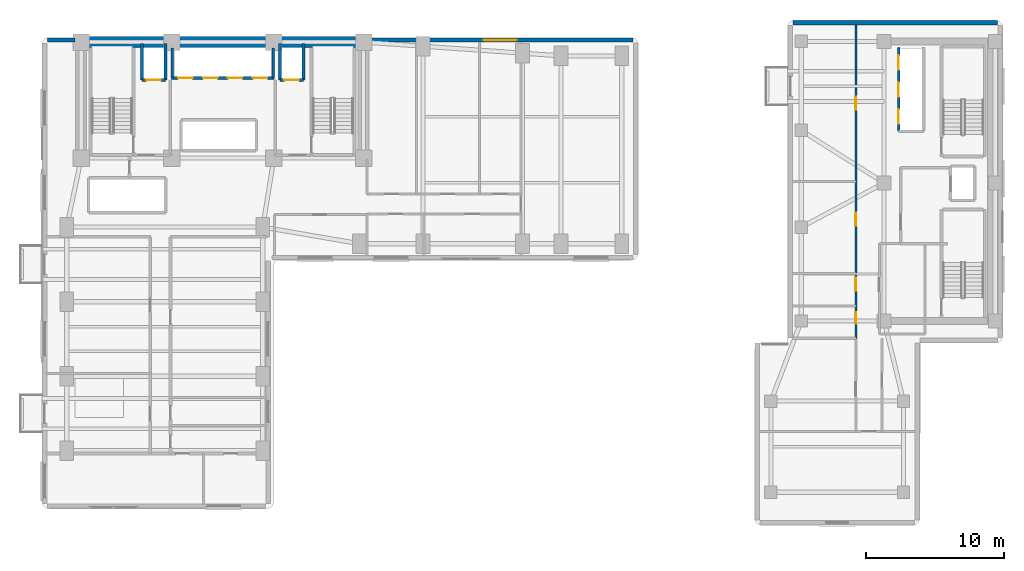
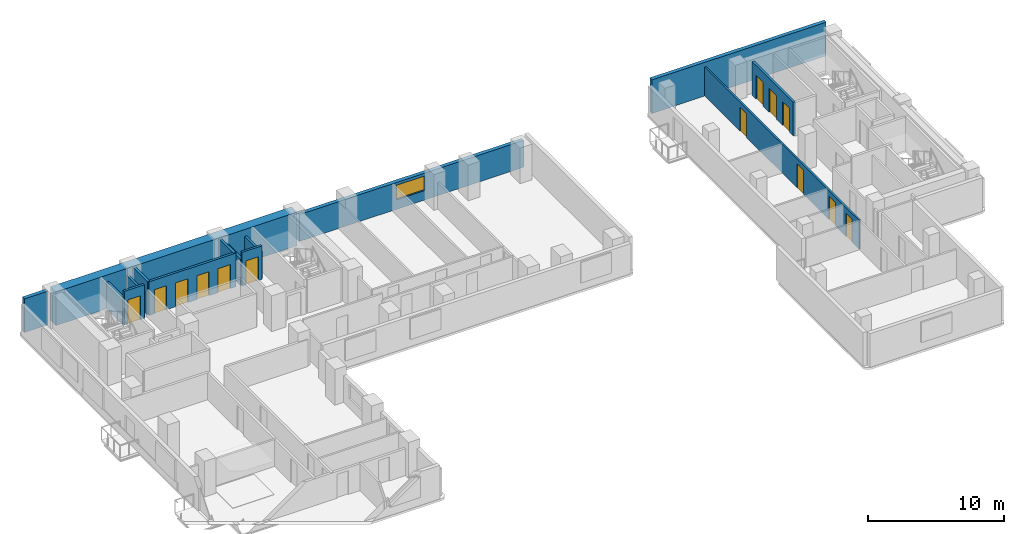
# One storey, part 11 of 16: 15 walls, 13 doors, 1 window, 14 openings.
"""IFC4 building model written with IfcOpenShell, lengths in metres."""

import ifcopenshell
import ifcopenshell.guid

model = None  # the IFC model being written
_history = None  # IfcOwnerHistory: only IFC2X3 demands one
_inside = {}  # id of a spatial element -> (the spatial element, [elements in it])
_under = {}  # id of a project, library or spatial element -> (it, [spatial elements below it])
_declared = {}  # id of a project -> (the project, [libraries it declares])
_typed = {}  # id of a type object -> (the type object, [elements of that type])
_made_of = {}  # id of a material, layer set ... -> (it, [elements and type objects made of it])


def new_model(schema):
    """Start an empty IFC model of exactly this schema.

    Asked for "IFC4X3", IfcOpenShell would pick the latest addendum, in which some entities
    have other attributes; the version numbers below select the first issue.
    IFC2X3 requires an IfcOwnerHistory on every rooted entity: one is made here for all.
    """
    global model, _history
    if schema == "IFC4X3":
        model = ifcopenshell.file(schema_version=(4, 3, 0, 0))
    else:
        model = ifcopenshell.file(schema=schema)
    _inside.clear()
    _under.clear()
    _declared.clear()
    _typed.clear()
    _made_of.clear()
    _history = None
    if model.schema == "IFC2X3":
        org = make("IfcOrganization", Name="unknown")
        user = make(
            "IfcPersonAndOrganization",
            ThePerson=make("IfcPerson", FamilyName="unknown"),
            TheOrganization=org,
        )
        app = make(
            "IfcApplication",
            ApplicationDeveloper=org,
            Version="unknown",
            ApplicationFullName="unknown",
            ApplicationIdentifier="unknown",
        )
        _history = make(
            "IfcOwnerHistory",
            OwningUser=user,
            OwningApplication=app,
            ChangeAction="ADDED",
            CreationDate=0,
        )
    return model


def make(cls, **values):
    """One entity of the class cls with the attributes given. An attribute that is None is left unset."""
    return model.create_entity(
        cls, **{name: value for name, value in values.items() if value is not None}
    )


def rooted(cls, **values):
    """An entity with a GlobalId (a new one), such as an element, a storey or a relation."""
    return make(cls, GlobalId=ifcopenshell.guid.new(), OwnerHistory=_history, **values)


def si_unit(unit_type, name, prefix=None):
    """IfcSIUnit, for example si_unit("LENGTHUNIT", "METRE", prefix="MILLI")."""
    return make("IfcSIUnit", UnitType=unit_type, Prefix=prefix, Name=name)


def assignment(units):
    """IfcUnitAssignment: the units of a project."""
    return None if units is None else make("IfcUnitAssignment", Units=units)


def point(xyz):
    """IfcCartesianPoint."""
    return None if xyz is None else make("IfcCartesianPoint", Coordinates=xyz)


def direction(xyz):
    """IfcDirection."""
    return None if xyz is None else make("IfcDirection", DirectionRatios=xyz)


def frame(location, z_axis=None, x_axis=None):
    """IfcAxis2Placement3D, a coordinate frame: its origin and axes. An axis left out is left unset."""
    return make(
        "IfcAxis2Placement3D",
        Location=point(location),
        Axis=direction(z_axis),
        RefDirection=direction(x_axis),
    )


def frame_2d(location, x_axis=None):
    """IfcAxis2Placement2D, a coordinate frame in the plane: its origin and x axis."""
    return make(
        "IfcAxis2Placement2D", Location=point(location), RefDirection=direction(x_axis)
    )


def origin():
    """The frame at (0, 0, 0) with its axes left unset."""
    return frame((0.0, 0.0, 0.0))


def place(relative_to, where):
    """IfcLocalPlacement: puts the frame where relative to a parent placement (None: the world)."""
    return make(
        "IfcLocalPlacement", PlacementRelTo=relative_to, RelativePlacement=where
    )


def context(
    kind, dimensions, precision=None, world=None, true_north=None, identifier=None
):
    """IfcGeometricRepresentationContext, for example the 3D "Model" context."""
    return make(
        "IfcGeometricRepresentationContext",
        ContextIdentifier=identifier,
        ContextType=kind,
        CoordinateSpaceDimension=dimensions,
        Precision=precision,
        WorldCoordinateSystem=world,
        TrueNorth=true_north,
    )


def subcontext(parent, identifier, kind, view, scale=None):
    """IfcGeometricRepresentationSubContext, for example "Body" below "Model"."""
    return make(
        "IfcGeometricRepresentationSubContext",
        ContextIdentifier=identifier,
        ContextType=kind,
        ParentContext=parent,
        TargetScale=scale,
        TargetView=view,
    )


def project(units=None, contexts=None):
    """IfcProject with its units and contexts."""
    return rooted(
        "IfcProject",
        Name="project",
        RepresentationContexts=contexts,
        UnitsInContext=assignment(units),
    )


def spatial(cls, under=None, at=None, **own):
    """A site, building, storey or space (cls), placed at a placement, below another one or the project."""
    s = rooted(cls, ObjectPlacement=at, **own)
    if under is not None:
        _under.setdefault(under.id(), (under, []))[1].append(s)
    return s


def profile(cls, at=None, kind="AREA", **sizes):
    """A parametric profile (cls). Its sizes go by their IFC names, for example OverallWidth=200.0."""
    return make(cls, ProfileType=kind, Position=at, **sizes)


def rectangle(**sizes):
    """IfcRectangleProfileDef."""
    return profile("IfcRectangleProfileDef", **sizes)


def extrude(swept, where, along, depth):
    """IfcExtrudedAreaSolid: the profile swept, set in the frame where, extruded along a direction by depth."""
    return make(
        "IfcExtrudedAreaSolid",
        SweptArea=swept,
        Position=where,
        ExtrudedDirection=direction(along),
        Depth=depth,
    )


def shape(context_of_items, identifier, shape_type, items):
    """IfcShapeRepresentation: the items that make up one representation, for example the "Body"."""
    return make(
        "IfcShapeRepresentation",
        ContextOfItems=context_of_items,
        RepresentationIdentifier=identifier,
        RepresentationType=shape_type,
        Items=items,
    )


def material(Name=None, Category=None):
    """IfcMaterial."""
    return make("IfcMaterial", Name=Name, Category=Category)


def layer(
    of_material, thickness, ventilated=None, Name=None, Category=None, Priority=None
):
    """IfcMaterialLayer: one layer of a wall or slab, of a material (None: an air gap)."""
    return make(
        "IfcMaterialLayer",
        Material=of_material,
        LayerThickness=thickness,
        IsVentilated=ventilated,
        Name=Name,
        Category=Category,
        Priority=Priority,
    )


def layer_set(layers, Name=None):
    """IfcMaterialLayerSet."""
    return make("IfcMaterialLayerSet", MaterialLayers=layers, LayerSetName=Name)


def made_of(thing, what):
    """Note that an element or type object is made of a material, layer set ...; save() writes the relation."""
    if what is not None:
        _made_of.setdefault(what.id(), (what, []))[1].append(thing)
    return thing


def type_object(cls, material=None, **own):
    """A type object (cls), such as IfcWallType, which elements share."""
    return made_of(rooted(cls, **own), material)


def element(
    cls,
    number,
    at=None,
    inside=None,
    cuts=None,
    type_object=None,
    material=None,
    context=None,
    identifier="Body",
    shape_type=None,
    held_by="IfcProductDefinitionShape",
    body=None,
    shapes=None,
    **own,
):
    """One element of the class cls, such as IfcWall. Its Tag is "e" and its number.

    at: its placement. inside: the storey or other place that contains it. cuts: it is an
    opening in that element (IfcRelVoidsElement). A single representation is given by context,
    identifier, shape_type and body (its items); several are given by shapes. held_by: the class
    of the entity that holds the representations. save() writes the other relations.
    """
    e = rooted(cls, Tag="e%d" % number, ObjectPlacement=at, **own)
    if body is not None:
        shapes = [shape(context, identifier, shape_type, body)]
    if shapes is not None:
        e.Representation = make(held_by, Representations=shapes)
    if inside is not None:
        _inside.setdefault(inside.id(), (inside, []))[1].append(e)
    if cuts is not None:
        rooted(
            "IfcRelVoidsElement", RelatingBuildingElement=cuts, RelatedOpeningElement=e
        )
    if type_object is not None:
        _typed.setdefault(type_object.id(), (type_object, []))[1].append(e)
    return made_of(e, material)


def fill(opening, filler):
    """IfcRelFillsElement: the door or window that sits in an opening."""
    return rooted(
        "IfcRelFillsElement",
        RelatingOpeningElement=opening,
        RelatedBuildingElement=filler,
    )


def aggregate(whole, parts):
    """IfcRelAggregates: a whole, such as a stair, and the parts it consists of."""
    return rooted("IfcRelAggregates", RelatingObject=whole, RelatedObjects=parts)


def save(model, path):
    """Write the relations noted so far, then the file.

    IfcRelAggregates (storeys below a building ...), IfcRelContainedInSpatialStructure (elements
    in a storey), IfcRelDefinesByType, IfcRelAssociatesMaterial and IfcRelDeclares: one each for
    every whole, place, type object, material and project.
    """
    for whole, parts in _under.values():
        aggregate(whole, parts)
    for where, things in _inside.values():
        rooted(
            "IfcRelContainedInSpatialStructure",
            RelatedElements=things,
            RelatingStructure=where,
        )
    for kind, things in _typed.values():
        rooted("IfcRelDefinesByType", RelatedObjects=things, RelatingType=kind)
    for what, things in _made_of.values():
        rooted("IfcRelAssociatesMaterial", RelatedObjects=things, RelatingMaterial=what)
    for by, libraries in _declared.values():
        rooted("IfcRelDeclares", RelatingContext=by, RelatedDefinitions=libraries)
    model.write(path)


model = new_model("IFC4")

# Units and contexts
model_context = context("Model", 3, precision=1e-05, world=origin(), true_north=direction((0.0, 1.0)))
body_context = subcontext(model_context, "Body", "Model", "MODEL_VIEW")
ifc_project = project(units=[si_unit("LENGTHUNIT", "METRE"), si_unit("AREAUNIT", "SQUARE_METRE"), si_unit("VOLUMEUNIT", "CUBIC_METRE"), si_unit("PLANEANGLEUNIT", "RADIAN"), si_unit("MASSUNIT", "GRAM", prefix="KILO")], contexts=[model_context])

# Site, building, storey
site_placement = place(None, origin())
site = spatial("IfcSite", under=ifc_project, at=site_placement, CompositionType="ELEMENT")
building_placement = place(site_placement, origin())
building = spatial("IfcBuilding", under=site, at=building_placement, Name="Kuzgunbayir Cultural Tower", CompositionType="ELEMENT")
storey_placement = place(building_placement, frame((0.0, 0.0, 66.0)))
storey = spatial("IfcBuildingStorey", under=building, at=storey_placement, Name="L18", CompositionType="ELEMENT", Elevation=66.0)

# Wall
ifc_material_1 = material(Name="Concrete C60/75", Category="concrete")
ifc_layer_1 = layer(ifc_material_1, 0.800048828125)
ifc_layer_set_1 = layer_set([ifc_layer_1], Name="Concrete C60/75")
wall_type_1 = type_object("IfcWallType", Name="WAL-CORE-800", PredefinedType="SHEAR", material=ifc_layer_set_1)
wall_1_placement = place(storey_placement, frame((6.449951171875, 42.199951171875, 0.0), z_axis=(0.0, 0.0, 1.0), x_axis=(1.0, 0.0, 0.0)))
element("IfcWall", 1, at=wall_1_placement, inside=storey, type_object=wall_type_1, Name="L18 T1 Core North Shear Wall", PredefinedType="SHEAR", context=body_context, shape_type="SweptSolid", body=[
    extrude(rectangle(XDim=20.449951171875, YDim=0.800048828125, at=frame_2d((10.22509765625, 0.0))), origin(), (0.0, 0.0, 1.0), 3.02001953125),
])

# Wall, opening, window
ifc_material_2 = material(Name="Travertine Buff Ashlar", Category="masonry")
ifc_layer_2 = layer(ifc_material_2, 0.320068359375)
ifc_layer_set_2 = layer_set([ifc_layer_2], Name="Travertine Buff Ashlar")
wall_type_2 = type_object("IfcWallType", Name="WAL-EXT-STONE-320", PredefinedType="STANDARD", material=ifc_layer_set_2)
wall_2_placement = place(storey_placement, frame((46.39990234375, 42.35009765625, 0.0), z_axis=(0.0, 0.0, 1.0), x_axis=(-1.0, 0.0, 0.0)))
wall_2 = element("IfcWall", 2, at=wall_2_placement, inside=storey, type_object=wall_type_2, Name="L18 North Wing B Limestone Wall", PredefinedType="STANDARD", context=body_context, shape_type="SweptSolid", body=[
    extrude(rectangle(XDim=19.0498046875, YDim=0.320068359375, at=frame_2d((9.52490234375, 0.0))), origin(), (0.0, 0.0, 1.0), 2.409912109375),
])
opening_1_placement = place(wall_2_placement, frame((8.409912109375, 0.0, 0.85009765625)))
opening_1 = element("IfcOpeningElement", 3, at=opening_1_placement, cuts=wall_2, Name="Opening WO-24", PredefinedType="OPENING", context=body_context, shape_type="SweptSolid", body=[
    extrude(rectangle(XDim=2.39990234375, YDim=1.31005859375, at=frame_2d((1.199951171875, 0.655029296875))), frame((0.0, 0.169921875, 0.0), z_axis=(0.0, -1.0, 0.0), x_axis=(1.0, 0.0, 0.0)), (0.0, 0.0, 1.0), 0.340087890625),
])
ifc_material_3 = material(Name="Solar-Control Triple Glazing", Category="glass")
window_type = type_object("IfcWindowType", Name="WIN-OFFICE-24", PartitioningType="SINGLE_PANEL", PredefinedType="WINDOW", material=ifc_material_3)
window_placement = place(opening_1_placement, origin())
window = element("IfcWindow", 4, at=window_placement, inside=storey, type_object=window_type, Name="L18 CRN Facade Window 1", OverallHeight=1.31005859375, OverallWidth=2.39990234375, PartitioningType="SINGLE_PANEL", PredefinedType="WINDOW", context=body_context, shape_type="SweptSolid", body=[
    extrude(rectangle(XDim=2.39990234375, YDim=1.31005859375, at=frame_2d((1.199951171875, 0.655029296875))), frame((0.0, 0.030029296875, 0.0), z_axis=(0.0, -1.0, 0.0), x_axis=(1.0, 0.0, 0.0)), (0.0, 0.0, 1.0), 0.06005859375),
])
fill(opening_1, window)

# Walls
wall_3_placement = place(storey_placement, frame((6.0, 42.35009765625, 0.0), z_axis=(0.0, 0.0, 1.0), x_axis=(-1.0, 0.0, 0.0)))
element("IfcWall", 5, at=wall_3_placement, inside=storey, type_object=wall_type_2, Name="L18 Core North-West Spandrel Link", PredefinedType="STANDARD", context=body_context, shape_type="SweptSolid", body=[
    extrude(rectangle(XDim=2.0, YDim=0.320068359375, at=frame_2d((1.0, 0.0))), origin(), (0.0, 0.0, 1.0), 3.02001953125),
])
wall_4_placement = place(storey_placement, frame((72.800048828125, 43.60009765625, 0.0), z_axis=(0.0, 0.0, 1.0), x_axis=(-1.0, 0.0, 0.0)))
element("IfcWall", 6, at=wall_4_placement, inside=storey, type_object=wall_type_2, Name="L18 Companion North Limestone Wall", PredefinedType="STANDARD", context=body_context, shape_type="SweptSolid", body=[
    extrude(rectangle(XDim=14.800048828125, YDim=0.320068359375, at=frame_2d((7.39990234375, 0.0))), origin(), (0.0, 0.0, 1.0), 3.02001953125),
])

# Wall, openings, doors
ifc_material_4 = material(Name="Acoustic Double-Stud Drywall", Category="gypsum")
ifc_layer_3 = layer(ifc_material_4, 0.14990234375)
ifc_layer_set_3 = layer_set([ifc_layer_3], Name="Acoustic Double-Stud Drywall")
wall_type_3 = type_object("IfcWallType", Name="WAL-PART-ACOUSTIC-150", PredefinedType="PARTITIONING", material=ifc_layer_set_3)
wall_5_placement = place(storey_placement, frame((62.550048828125, 20.75, 0.0), z_axis=(0.0, 0.0, 1.0), x_axis=(0.0, 1.0, 0.0)))
wall_5 = element("IfcWall", 7, at=wall_5_placement, inside=storey, type_object=wall_type_3, Name="L18 Companion Corridor West Wall", PredefinedType="PARTITIONING", context=body_context, shape_type="SweptSolid", body=[
    extrude(rectangle(XDim=22.699951171875, YDim=0.14990234375, at=frame_2d((11.35009765625, 0.0))), origin(), (0.0, 0.0, 1.0), 2.60009765625),
])
opening_2_placement = place(wall_5_placement, frame((1.050048828125, 0.0, 0.0)))
opening_2 = element("IfcOpeningElement", 8, at=opening_2_placement, cuts=wall_5, Name="Opening DW-85", PredefinedType="OPENING", context=body_context, shape_type="SweptSolid", body=[
    extrude(rectangle(XDim=0.85009765625, YDim=2.10009765625, at=frame_2d((0.425048828125, 1.050048828125))), frame((0.0, 0.0849609375, 0.0), z_axis=(0.0, -1.0, 0.0), x_axis=(1.0, 0.0, 0.0)), (0.0, 0.0, 1.0), 0.169921875),
])
opening_3_placement = place(wall_5_placement, frame((3.429931640625, 0.0, 0.0)))
opening_3 = element("IfcOpeningElement", 9, at=opening_3_placement, cuts=wall_5, Name="Opening DW-95", PredefinedType="OPENING", context=body_context, shape_type="SweptSolid", body=[
    extrude(rectangle(XDim=0.949951171875, YDim=2.10009765625, at=frame_2d((0.47509765625, 1.050048828125))), frame((0.0, 0.0849609375, 0.0), z_axis=(0.0, -1.0, 0.0), x_axis=(1.0, 0.0, 0.0)), (0.0, 0.0, 1.0), 0.169921875),
])
opening_4_placement = place(wall_5_placement, frame((8.14990234375, 0.0, 0.0)))
opening_4 = element("IfcOpeningElement", 10, at=opening_4_placement, cuts=wall_5, Name="Opening DI-90", PredefinedType="OPENING", context=body_context, shape_type="SweptSolid", body=[
    extrude(rectangle(XDim=0.949951171875, YDim=2.14990234375, at=frame_2d((0.47509765625, 1.074951171875))), frame((0.0, 0.0849609375, 0.0), z_axis=(0.0, -1.0, 0.0), x_axis=(1.0, 0.0, 0.0)), (0.0, 0.0, 1.0), 0.169921875),
])
opening_5_placement = place(wall_5_placement, frame((16.550048828125, 0.0, 0.0)))
opening_5 = element("IfcOpeningElement", 11, at=opening_5_placement, cuts=wall_5, Name="Opening DI-90", PredefinedType="OPENING", context=body_context, shape_type="SweptSolid", body=[
    extrude(rectangle(XDim=0.949951171875, YDim=2.14990234375, at=frame_2d((0.47509765625, 1.074951171875))), frame((0.0, 0.0849609375, 0.0), z_axis=(0.0, -1.0, 0.0), x_axis=(1.0, 0.0, 0.0)), (0.0, 0.0, 1.0), 0.169921875),
])
ifc_material_5 = material(Name="Veneered Oak Single Leaf", Category="wood")
door_type_1 = type_object("IfcDoorType", Name="DR-INT-90", OperationType="NOTDEFINED", PredefinedType="DOOR", material=ifc_material_5)
door_1_placement = place(opening_4_placement, origin())
door_1 = element("IfcDoor", 12, at=door_1_placement, inside=storey, type_object=door_type_1, Name="L18 Companion Curatorial Office 1 Door", OperationType="SINGLE_SWING_RIGHT", OverallHeight=2.14990234375, OverallWidth=0.949951171875, PredefinedType="DOOR", context=body_context, shape_type="SweptSolid", body=[
    extrude(rectangle(XDim=0.949951171875, YDim=2.14990234375, at=frame_2d((0.47509765625, 1.074951171875))), frame((0.0, 0.02490234375, 0.0), z_axis=(0.0, -1.0, 0.0), x_axis=(1.0, 0.0, 0.0)), (0.0, 0.0, 1.0), 0.050048828125),
])
fill(opening_4, door_1)
door_2_placement = place(opening_5_placement, origin())
door_2 = element("IfcDoor", 13, at=door_2_placement, inside=storey, type_object=door_type_1, Name="L18 Companion Art Publication Salon 2 Door", OperationType="SINGLE_SWING_LEFT", OverallHeight=2.14990234375, OverallWidth=0.949951171875, PredefinedType="DOOR", context=body_context, shape_type="SweptSolid", body=[
    extrude(rectangle(XDim=0.949951171875, YDim=2.14990234375, at=frame_2d((0.47509765625, 1.074951171875))), frame((0.0, 0.02490234375, 0.0), z_axis=(0.0, -1.0, 0.0), x_axis=(1.0, 0.0, 0.0)), (0.0, 0.0, 1.0), 0.050048828125),
])
fill(opening_5, door_2)
ifc_material_6 = material(Name="Laminate Moisture-Resistant Leaf", Category="wood")
door_type_2 = type_object("IfcDoorType", Name="DR-WET-85", OperationType="NOTDEFINED", PredefinedType="DOOR", material=ifc_material_6)
door_3_placement = place(opening_2_placement, origin())
door_3 = element("IfcDoor", 14, at=door_3_placement, inside=storey, type_object=door_type_2, Name="L18 Companion WC Door", OperationType="SINGLE_SWING_RIGHT", OverallHeight=2.10009765625, OverallWidth=0.85009765625, PredefinedType="DOOR", context=body_context, shape_type="SweptSolid", body=[
    extrude(rectangle(XDim=0.85009765625, YDim=2.10009765625, at=frame_2d((0.425048828125, 1.050048828125))), frame((0.0, 0.02490234375, 0.0), z_axis=(0.0, -1.0, 0.0), x_axis=(1.0, 0.0, 0.0)), (0.0, 0.0, 1.0), 0.050048828125),
])
fill(opening_2, door_3)
door_type_3 = type_object("IfcDoorType", Name="DR-WET-95", OperationType="NOTDEFINED", PredefinedType="DOOR", material=ifc_material_6)
door_4_placement = place(opening_3_placement, origin())
door_4 = element("IfcDoor", 15, at=door_4_placement, inside=storey, type_object=door_type_3, Name="L18 Companion Accessible WC Door", OperationType="SINGLE_SWING_LEFT", OverallHeight=2.10009765625, OverallWidth=0.949951171875, PredefinedType="DOOR", context=body_context, shape_type="SweptSolid", body=[
    extrude(rectangle(XDim=0.949951171875, YDim=2.10009765625, at=frame_2d((0.47509765625, 1.050048828125))), frame((0.0, 0.02490234375, 0.0), z_axis=(0.0, -1.0, 0.0), x_axis=(1.0, 0.0, 0.0)), (0.0, 0.0, 1.0), 0.050048828125),
])
fill(opening_3, door_4)

# Wall, opening, door
ifc_material_7 = material(Name="Concrete C40/50", Category="concrete")
ifc_layer_4 = layer(ifc_material_7, 0.199951171875)
ifc_layer_set_4 = layer_set([ifc_layer_4], Name="Concrete C40/50")
wall_type_4 = type_object("IfcWallType", Name="WAL-SHAFT-200", PredefinedType="MOVABLE", material=ifc_layer_set_4)
wall_6_placement = place(storey_placement, frame((10.85009765625, 39.449951171875, 0.0), z_axis=(0.0, 0.0, 1.0), x_axis=(1.0, 0.0, 0.0)))
wall_6 = element("IfcWall", 16, at=wall_6_placement, inside=storey, type_object=wall_type_4, Name="L18 FFL-1 Lift Front Wall", PredefinedType="MOVABLE", context=body_context, shape_type="SweptSolid", body=[
    extrude(rectangle(XDim=1.699951171875, YDim=0.199951171875, at=frame_2d((0.85009765625, 0.0))), origin(), (0.0, 0.0, 1.0), 3.02001953125),
])
opening_6_placement = place(wall_6_placement, frame((0.320068359375, 0.0, 0.0)))
opening_6 = element("IfcOpeningElement", 17, at=opening_6_placement, cuts=wall_6, Name="Opening LD", PredefinedType="OPENING", context=body_context, shape_type="SweptSolid", body=[
    extrude(rectangle(XDim=1.050048828125, YDim=2.14990234375, at=frame_2d((0.52490234375, 1.074951171875))), frame((0.0, 0.10986328125, 0.0), z_axis=(0.0, -1.0, 0.0), x_axis=(1.0, 0.0, 0.0)), (0.0, 0.0, 1.0), 0.219970703125),
])
ifc_material_8 = material(Name="Brushed Stainless Steel", Category="steel")
door_type_4 = type_object("IfcDoorType", Name="DR-LIFT-LANDING", OperationType="SLIDING_TO_LEFT", PredefinedType="DOOR", material=ifc_material_8)
door_5_placement = place(opening_6_placement, origin())
door_5 = element("IfcDoor", 18, at=door_5_placement, inside=storey, type_object=door_type_4, Name="L18 Lift FFL-1 Landing Door", OperationType="SLIDING_TO_LEFT", OverallHeight=2.14990234375, OverallWidth=1.050048828125, PredefinedType="DOOR", context=body_context, shape_type="SweptSolid", body=[
    extrude(rectangle(XDim=1.050048828125, YDim=2.14990234375, at=frame_2d((0.52490234375, 1.074951171875))), frame((0.0, 0.02490234375, 0.0), z_axis=(0.0, -1.0, 0.0), x_axis=(1.0, 0.0, 0.0)), (0.0, 0.0, 1.0), 0.050048828125),
])
fill(opening_6, door_5)

wall_7_placement = place(storey_placement, frame((20.85009765625, 39.449951171875, 0.0), z_axis=(0.0, 0.0, 1.0), x_axis=(1.0, 0.0, 0.0)))
wall_7 = element("IfcWall", 19, at=wall_7_placement, inside=storey, type_object=wall_type_4, Name="L18 FFL-2 Lift Front Wall", PredefinedType="MOVABLE", context=body_context, shape_type="SweptSolid", body=[
    extrude(rectangle(XDim=1.699951171875, YDim=0.199951171875, at=frame_2d((0.85009765625, 0.0))), origin(), (0.0, 0.0, 1.0), 3.02001953125),
])
opening_7_placement = place(wall_7_placement, frame((0.320068359375, 0.0, 0.0)))
opening_7 = element("IfcOpeningElement", 20, at=opening_7_placement, cuts=wall_7, Name="Opening LD", PredefinedType="OPENING", context=body_context, shape_type="SweptSolid", body=[
    extrude(rectangle(XDim=1.050048828125, YDim=2.14990234375, at=frame_2d((0.52490234375, 1.074951171875))), frame((0.0, 0.10986328125, 0.0), z_axis=(0.0, -1.0, 0.0), x_axis=(1.0, 0.0, 0.0)), (0.0, 0.0, 1.0), 0.219970703125),
])
door_6_placement = place(opening_7_placement, origin())
door_6 = element("IfcDoor", 21, at=door_6_placement, inside=storey, type_object=door_type_4, Name="L18 Lift FFL-2 Landing Door", OperationType="SLIDING_TO_LEFT", OverallHeight=2.14990234375, OverallWidth=1.050048828125, PredefinedType="DOOR", context=body_context, shape_type="SweptSolid", body=[
    extrude(rectangle(XDim=1.050048828125, YDim=2.14990234375, at=frame_2d((0.52490234375, 1.074951171875))), frame((0.0, 0.02490234375, 0.0), z_axis=(0.0, -1.0, 0.0), x_axis=(1.0, 0.0, 0.0)), (0.0, 0.0, 1.0), 0.050048828125),
])
fill(opening_7, door_6)

# Walls
for number, where, z_axis, x_axis, name in (
    (22, (10.85009765625, 39.449951171875, 0.0), (0.0, 0.0, 1.0), (0.0, 1.0, 0.0), "L18 FFL-1 Shaft West Wall"),
    (23, (12.550048828125, 39.449951171875, 0.0), (0.0, 0.0, 1.0), (0.0, 1.0, 0.0), "L18 FFL-1 Shaft East Wall"),
    (24, (20.85009765625, 39.449951171875, 0.0), (0.0, 0.0, 1.0), (0.0, 1.0, 0.0), "L18 FFL-2 Shaft West Wall"),
    (25, (22.550048828125, 39.449951171875, 0.0), (0.0, 0.0, 1.0), (0.0, 1.0, 0.0), "L18 FFL-2 Shaft East Wall"),
):
    element("IfcWall", number, at=place(storey_placement, frame(where, z_axis=z_axis, x_axis=x_axis)), inside=storey, type_object=wall_type_4, Name=name, PredefinedType="MOVABLE", context=body_context, shape_type="SweptSolid", body=[
        extrude(rectangle(XDim=2.650146484375, YDim=0.199951171875, at=frame_2d((1.3251953125, 0.0))), origin(), (0.0, 0.0, 1.0), 2.409912109375),
    ])

# Wall, openings, doors
wall_8_placement = place(storey_placement, frame((13.0, 39.60009765625, 0.0), z_axis=(0.0, 0.0, 1.0), x_axis=(1.0, 0.0, 0.0)))
wall_8 = element("IfcWall", 26, at=wall_8_placement, inside=storey, type_object=wall_type_4, Name="L18 Low-Rise Lift Front Wall", PredefinedType="MOVABLE", context=body_context, shape_type="SweptSolid", body=[
    extrude(rectangle(XDim=7.39990234375, YDim=0.199951171875, at=frame_2d((3.699951171875, 0.0))), origin(), (0.0, 0.0, 1.0), 3.02001953125),
])
opening_8_placement = place(wall_8_placement, frame((0.469970703125, 0.0, 0.0)))
opening_8 = element("IfcOpeningElement", 27, at=opening_8_placement, cuts=wall_8, Name="Opening LD", PredefinedType="OPENING", context=body_context, shape_type="SweptSolid", body=[
    extrude(rectangle(XDim=1.050048828125, YDim=2.14990234375, at=frame_2d((0.52490234375, 1.074951171875))), frame((0.0, 0.10986328125, 0.0), z_axis=(0.0, -1.0, 0.0), x_axis=(1.0, 0.0, 0.0)), (0.0, 0.0, 1.0), 0.219970703125),
])
opening_9_placement = place(wall_8_placement, frame((2.280029296875, 0.0, 0.0)))
opening_9 = element("IfcOpeningElement", 28, at=opening_9_placement, cuts=wall_8, Name="Opening LD", PredefinedType="OPENING", context=body_context, shape_type="SweptSolid", body=[
    extrude(rectangle(XDim=1.050048828125, YDim=2.14990234375, at=frame_2d((0.52490234375, 1.074951171875))), frame((0.0, 0.10986328125, 0.0), z_axis=(0.0, -1.0, 0.0), x_axis=(1.0, 0.0, 0.0)), (0.0, 0.0, 1.0), 0.219970703125),
])
opening_10_placement = place(wall_8_placement, frame((4.080078125, 0.0, 0.0)))
opening_10 = element("IfcOpeningElement", 29, at=opening_10_placement, cuts=wall_8, Name="Opening LD", PredefinedType="OPENING", context=body_context, shape_type="SweptSolid", body=[
    extrude(rectangle(XDim=1.050048828125, YDim=2.14990234375, at=frame_2d((0.52490234375, 1.074951171875))), frame((0.0, 0.10986328125, 0.0), z_axis=(0.0, -1.0, 0.0), x_axis=(1.0, 0.0, 0.0)), (0.0, 0.0, 1.0), 0.219970703125),
])
opening_11_placement = place(wall_8_placement, frame((5.8798828125, 0.0, 0.0)))
opening_11 = element("IfcOpeningElement", 30, at=opening_11_placement, cuts=wall_8, Name="Opening LD", PredefinedType="OPENING", context=body_context, shape_type="SweptSolid", body=[
    extrude(rectangle(XDim=1.050048828125, YDim=2.14990234375, at=frame_2d((0.52490234375, 1.074951171875))), frame((0.0, 0.10986328125, 0.0), z_axis=(0.0, -1.0, 0.0), x_axis=(1.0, 0.0, 0.0)), (0.0, 0.0, 1.0), 0.219970703125),
])
door_7_placement = place(opening_8_placement, origin())
door_7 = element("IfcDoor", 31, at=door_7_placement, inside=storey, type_object=door_type_4, Name="L18 Lift PL-1 Landing Door", OperationType="SLIDING_TO_LEFT", OverallHeight=2.14990234375, OverallWidth=1.050048828125, PredefinedType="DOOR", context=body_context, shape_type="SweptSolid", body=[
    extrude(rectangle(XDim=1.050048828125, YDim=2.14990234375, at=frame_2d((0.52490234375, 1.074951171875))), frame((0.0, 0.02490234375, 0.0), z_axis=(0.0, -1.0, 0.0), x_axis=(1.0, 0.0, 0.0)), (0.0, 0.0, 1.0), 0.050048828125),
])
fill(opening_8, door_7)
door_8_placement = place(opening_9_placement, origin())
door_8 = element("IfcDoor", 32, at=door_8_placement, inside=storey, type_object=door_type_4, Name="L18 Lift PL-2 Landing Door", OperationType="SLIDING_TO_LEFT", OverallHeight=2.14990234375, OverallWidth=1.050048828125, PredefinedType="DOOR", context=body_context, shape_type="SweptSolid", body=[
    extrude(rectangle(XDim=1.050048828125, YDim=2.14990234375, at=frame_2d((0.52490234375, 1.074951171875))), frame((0.0, 0.02490234375, 0.0), z_axis=(0.0, -1.0, 0.0), x_axis=(1.0, 0.0, 0.0)), (0.0, 0.0, 1.0), 0.050048828125),
])
fill(opening_9, door_8)
door_9_placement = place(opening_10_placement, origin())
door_9 = element("IfcDoor", 33, at=door_9_placement, inside=storey, type_object=door_type_4, Name="L18 Lift PL-3 Landing Door", OperationType="SLIDING_TO_LEFT", OverallHeight=2.14990234375, OverallWidth=1.050048828125, PredefinedType="DOOR", context=body_context, shape_type="SweptSolid", body=[
    extrude(rectangle(XDim=1.050048828125, YDim=2.14990234375, at=frame_2d((0.52490234375, 1.074951171875))), frame((0.0, 0.02490234375, 0.0), z_axis=(0.0, -1.0, 0.0), x_axis=(1.0, 0.0, 0.0)), (0.0, 0.0, 1.0), 0.050048828125),
])
fill(opening_10, door_9)
door_10_placement = place(opening_11_placement, origin())
door_10 = element("IfcDoor", 34, at=door_10_placement, inside=storey, type_object=door_type_4, Name="L18 Lift PL-4 Landing Door", OperationType="SLIDING_TO_LEFT", OverallHeight=2.14990234375, OverallWidth=1.050048828125, PredefinedType="DOOR", context=body_context, shape_type="SweptSolid", body=[
    extrude(rectangle(XDim=1.050048828125, YDim=2.14990234375, at=frame_2d((0.52490234375, 1.074951171875))), frame((0.0, 0.02490234375, 0.0), z_axis=(0.0, -1.0, 0.0), x_axis=(1.0, 0.0, 0.0)), (0.0, 0.0, 1.0), 0.050048828125),
])
fill(opening_11, door_10)

# Walls
for number, where, z_axis, x_axis, name in (
    (35, (13.050048828125, 39.60009765625, 0.0), (0.0, 0.0, 1.0), (0.0, 1.0, 0.0), "L18 Low-Rise Lift Shaft West Wall"),
    (36, (20.35009765625, 39.60009765625, 0.0), (0.0, 0.0, 1.0), (0.0, 1.0, 0.0), "L18 Low-Rise Lift Shaft East Wall"),
):
    element("IfcWall", number, at=place(storey_placement, frame(where, z_axis=z_axis, x_axis=x_axis)), inside=storey, type_object=wall_type_4, Name=name, PredefinedType="MOVABLE", context=body_context, shape_type="SweptSolid", body=[
        extrude(rectangle(XDim=2.179931640625, YDim=0.199951171875, at=frame_2d((1.08984375, 0.0))), origin(), (0.0, 0.0, 1.0), 3.02001953125),
    ])

# Wall, openings, doors
wall_9_placement = place(storey_placement, frame((65.64990234375, 35.75, 0.0), z_axis=(0.0, 0.0, 1.0), x_axis=(0.0, 1.0, 0.0)))
wall_9 = element("IfcWall", 37, at=wall_9_placement, inside=storey, type_object=wall_type_4, Name="L18 Companion Lift Front Wall", PredefinedType="MOVABLE", context=body_context, shape_type="SweptSolid", body=[
    extrude(rectangle(XDim=6.050048828125, YDim=0.199951171875, at=frame_2d((3.02490234375, 0.0))), origin(), (0.0, 0.0, 1.0), 3.02001953125),
])
opening_12_placement = place(wall_9_placement, frame((0.52001953125, 0.0, 0.0)))
opening_12 = element("IfcOpeningElement", 38, at=opening_12_placement, cuts=wall_9, Name="Opening LD", PredefinedType="OPENING", context=body_context, shape_type="SweptSolid", body=[
    extrude(rectangle(XDim=1.050048828125, YDim=2.14990234375, at=frame_2d((0.52490234375, 1.074951171875))), frame((0.0, 0.10986328125, 0.0), z_axis=(0.0, -1.0, 0.0), x_axis=(1.0, 0.0, 0.0)), (0.0, 0.0, 1.0), 0.219970703125),
])
opening_13_placement = place(wall_9_placement, frame((2.47998046875, 0.0, 0.0)))
opening_13 = element("IfcOpeningElement", 39, at=opening_13_placement, cuts=wall_9, Name="Opening LD", PredefinedType="OPENING", context=body_context, shape_type="SweptSolid", body=[
    extrude(rectangle(XDim=1.050048828125, YDim=2.14990234375, at=frame_2d((0.52490234375, 1.074951171875))), frame((0.0, 0.10986328125, 0.0), z_axis=(0.0, -1.0, 0.0), x_axis=(1.0, 0.0, 0.0)), (0.0, 0.0, 1.0), 0.219970703125),
])
opening_14_placement = place(wall_9_placement, frame((4.429931640625, 0.0, 0.0)))
opening_14 = element("IfcOpeningElement", 40, at=opening_14_placement, cuts=wall_9, Name="Opening LD", PredefinedType="OPENING", context=body_context, shape_type="SweptSolid", body=[
    extrude(rectangle(XDim=1.050048828125, YDim=2.14990234375, at=frame_2d((0.52490234375, 1.074951171875))), frame((0.0, 0.10986328125, 0.0), z_axis=(0.0, -1.0, 0.0), x_axis=(1.0, 0.0, 0.0)), (0.0, 0.0, 1.0), 0.219970703125),
])
door_11_placement = place(opening_12_placement, origin())
door_11 = element("IfcDoor", 41, at=door_11_placement, inside=storey, type_object=door_type_4, Name="L18 Lift PC-1 Landing Door", OperationType="SLIDING_TO_LEFT", OverallHeight=2.14990234375, OverallWidth=1.050048828125, PredefinedType="DOOR", context=body_context, shape_type="SweptSolid", body=[
    extrude(rectangle(XDim=1.050048828125, YDim=2.14990234375, at=frame_2d((0.52490234375, 1.074951171875))), frame((0.0, 0.02490234375, 0.0), z_axis=(0.0, -1.0, 0.0), x_axis=(1.0, 0.0, 0.0)), (0.0, 0.0, 1.0), 0.050048828125),
])
fill(opening_12, door_11)
door_12_placement = place(opening_13_placement, origin())
door_12 = element("IfcDoor", 42, at=door_12_placement, inside=storey, type_object=door_type_4, Name="L18 Lift PC-2 Landing Door", OperationType="SLIDING_TO_LEFT", OverallHeight=2.14990234375, OverallWidth=1.050048828125, PredefinedType="DOOR", context=body_context, shape_type="SweptSolid", body=[
    extrude(rectangle(XDim=1.050048828125, YDim=2.14990234375, at=frame_2d((0.52490234375, 1.074951171875))), frame((0.0, 0.02490234375, 0.0), z_axis=(0.0, -1.0, 0.0), x_axis=(1.0, 0.0, 0.0)), (0.0, 0.0, 1.0), 0.050048828125),
])
fill(opening_13, door_12)
door_13_placement = place(opening_14_placement, origin())
door_13 = element("IfcDoor", 43, at=door_13_placement, inside=storey, type_object=door_type_4, Name="L18 Lift PC-3 Landing Door", OperationType="SLIDING_TO_LEFT", OverallHeight=2.14990234375, OverallWidth=1.050048828125, PredefinedType="DOOR", context=body_context, shape_type="SweptSolid", body=[
    extrude(rectangle(XDim=1.050048828125, YDim=2.14990234375, at=frame_2d((0.52490234375, 1.074951171875))), frame((0.0, 0.02490234375, 0.0), z_axis=(0.0, -1.0, 0.0), x_axis=(1.0, 0.0, 0.0)), (0.0, 0.0, 1.0), 0.050048828125),
])
fill(opening_14, door_13)

save(model, "model.ifc")
